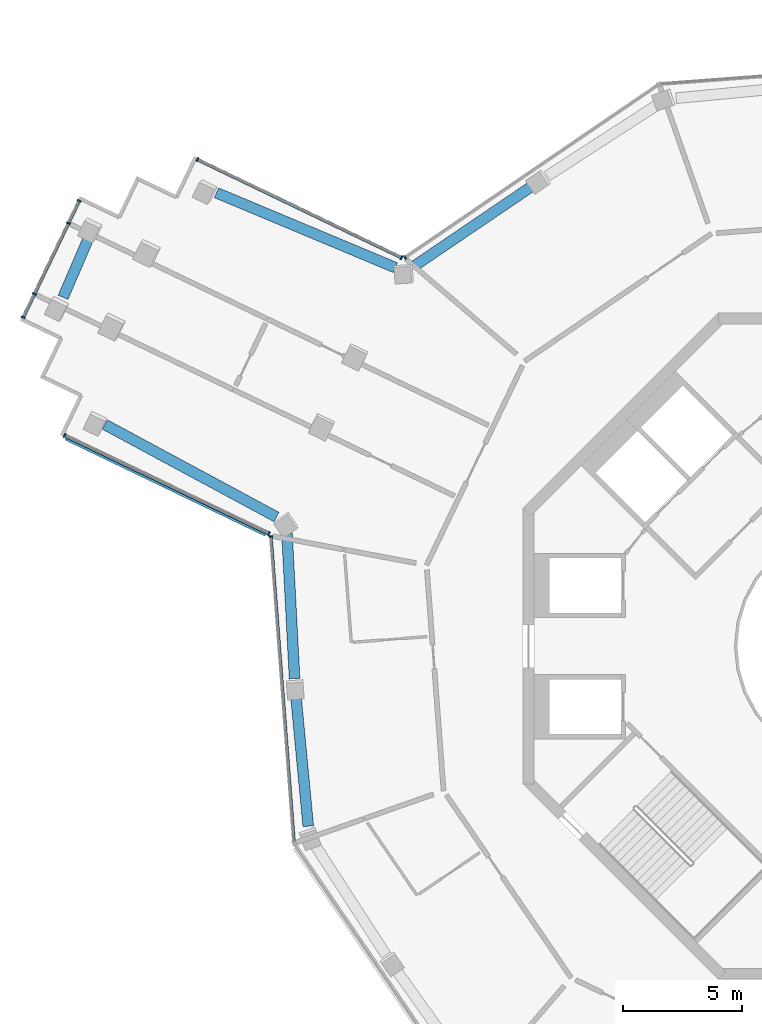
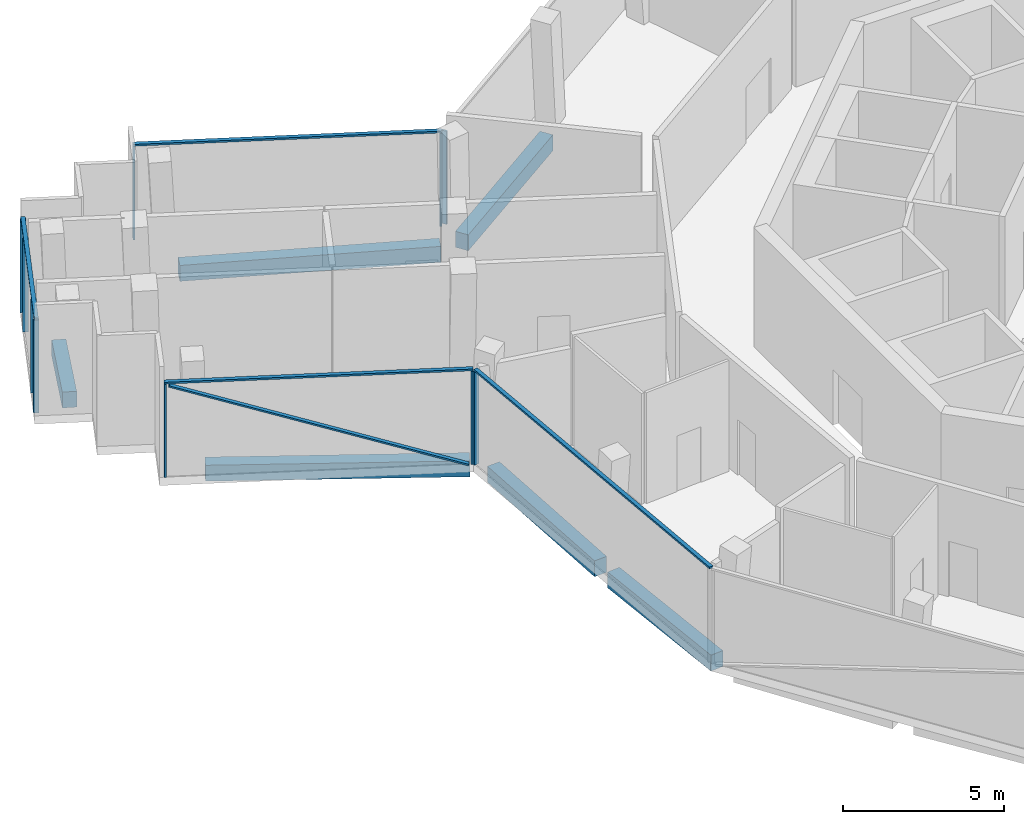
# One storey, part 4 of 19: 15 members, 6 beams, 5 elements without a shape of their own.
"""IFC4 building model written with IfcOpenShell, lengths in metres."""

from ifc_helpers import new_model, si_unit, direction, frame, origin, origin_2d, place, context, subcontext, project, spatial, rectangle, extrude, material, layer, layer_set, material_profile, profile_set, type_object, element, aggregate, save


model = new_model("IFC4")

# Units and contexts
model_context = context("Model", 3, precision=1e-05, world=origin(), true_north=direction((0.0, 1.0)))
body_context = subcontext(model_context, "Body", "Model", "MODEL_VIEW")
ifc_project = project(units=[si_unit("LENGTHUNIT", "METRE"), si_unit("AREAUNIT", "SQUARE_METRE"), si_unit("VOLUMEUNIT", "CUBIC_METRE"), si_unit("PLANEANGLEUNIT", "RADIAN"), si_unit("MASSUNIT", "GRAM", prefix="KILO")], contexts=[model_context])

# Site, building, storey
site_placement = place(None, origin())
site = spatial("IfcSite", under=ifc_project, at=site_placement, CompositionType="ELEMENT")
building_placement = place(site_placement, origin())
building = spatial("IfcBuilding", under=site, at=building_placement, Name="Verdalira Terraces Hotel", CompositionType="ELEMENT")
storey_placement = place(building_placement, frame((0.0, 0.0, 295.0)))
storey = spatial("IfcBuildingStorey", under=building, at=storey_placement, Name="L73", CompositionType="ELEMENT", Elevation=295.0)

# Curtain wall, members
ifc_material_1 = material(Name="Clear glass", Category="glass")
ifc_layer = layer(ifc_material_1, 0.179931640625)
ifc_layer_set = layer_set([ifc_layer], Name="CW4 curtain wall")
curtain_wall_type = type_object("IfcCurtainWallType", Name="CW4 curtain wall", PredefinedType="NOTDEFINED", material=ifc_layer_set)
curtain_wall_1_placement = place(storey_placement, origin())
curtain_wall_1 = element("IfcCurtainWall", 1, at=curtain_wall_1_placement, inside=storey, type_object=curtain_wall_type, Name="CW4 curtain wall L73 edge 0", PredefinedType="NOTDEFINED")
ifc_material_2 = material(Name="Terracotta frame", Category="masonry")
ifc_material_profile_1 = material_profile(ifc_material_2, rectangle(XDim=0.064941, YDim=0.179932, at=origin_2d()), Name="MU 65x180")
ifc_profile_set_1 = profile_set([ifc_material_profile_1], Name="Terracotta frame")
member_type_1 = type_object("IfcMemberType", Name="CW4 mullion 65x180", PredefinedType="MULLION", material=ifc_profile_set_1)
member_1_placement = place(storey_placement, frame((-19.116455, 16.337646, 0.0), z_axis=(0.0, 0.0, 1.0), x_axis=(-0.901228342, 0.433344523, 0.0)))
member_1 = element("IfcMember", 2, at=member_1_placement, type_object=member_type_1, Name="CW4 mullion", PredefinedType="MULLION", context=body_context, shape_type="SweptSolid", body=[
    extrude(rectangle(XDim=0.064941, YDim=0.179932, at=origin_2d()), origin(), (0.0, 0.0, 1.0), 3.52002),
])
member_2_placement = place(storey_placement, frame((-27.702148, 20.466064, 0.0), z_axis=(0.0, 0.0, 1.0), x_axis=(-0.901228342, 0.433344523, 0.0)))
member_2 = element("IfcMember", 3, at=member_2_placement, type_object=member_type_1, Name="CW4 mullion", PredefinedType="MULLION", context=body_context, shape_type="SweptSolid", body=[
    extrude(rectangle(XDim=0.064941, YDim=0.179932, at=origin_2d()), origin(), (0.0, 0.0, 1.0), 3.52002),
])

curtain_wall_2_placement = place(storey_placement, origin())
curtain_wall_2 = element("IfcCurtainWall", 4, at=curtain_wall_2_placement, inside=storey, type_object=curtain_wall_type, Name="CW4 curtain wall L73 edge 5", PredefinedType="NOTDEFINED")
member_3_placement = place(storey_placement, frame((-32.670166, 18.724365, 0.0), z_axis=(0.0, 0.0, 1.0), x_axis=(-0.433344523, -0.901228342, 0.0)))
member_3 = element("IfcMember", 5, at=member_3_placement, type_object=member_type_1, Name="CW4 mullion", PredefinedType="MULLION", context=body_context, shape_type="SweptSolid", body=[
    extrude(rectangle(XDim=0.064941, YDim=0.179932, at=origin_2d()), origin(), (0.0, 0.0, 1.0), 3.52002),
])
member_4_placement = place(storey_placement, frame((-33.124023, 17.780273, 0.0), z_axis=(0.0, 0.0, 1.0), x_axis=(-0.433344523, -0.901228342, 0.0)))
member_4 = element("IfcMember", 6, at=member_4_placement, type_object=member_type_1, Name="CW4 mullion", PredefinedType="MULLION", context=body_context, shape_type="SweptSolid", body=[
    extrude(rectangle(XDim=0.064941, YDim=0.179932, at=origin_2d()), origin(), (0.0, 0.0, 1.0), 3.52002),
])
member_5_placement = place(storey_placement, frame((-34.553223, 14.80835, 0.0), z_axis=(0.0, 0.0, 1.0), x_axis=(-0.433344523, -0.901228342, 0.0)))
member_5 = element("IfcMember", 7, at=member_5_placement, type_object=member_type_1, Name="CW4 mullion", PredefinedType="MULLION", context=body_context, shape_type="SweptSolid", body=[
    extrude(rectangle(XDim=0.064941, YDim=0.179932, at=origin_2d()), origin(), (0.0, 0.0, 1.0), 3.52002),
])
member_6_placement = place(storey_placement, frame((-35.025391, 13.826172, 0.0), z_axis=(0.0, 0.0, 1.0), x_axis=(-0.433344523, -0.901228342, 0.0)))
member_6 = element("IfcMember", 8, at=member_6_placement, type_object=member_type_1, Name="CW4 mullion", PredefinedType="MULLION", context=body_context, shape_type="SweptSolid", body=[
    extrude(rectangle(XDim=0.064941, YDim=0.179932, at=origin_2d()), origin(), (0.0, 0.0, 1.0), 3.52002),
])

curtain_wall_3_placement = place(storey_placement, origin())
curtain_wall_3 = element("IfcCurtainWall", 9, at=curtain_wall_3_placement, inside=storey, type_object=curtain_wall_type, Name="CW4 curtain wall L73 edge 10", PredefinedType="NOTDEFINED")
member_7_placement = place(storey_placement, frame((-33.283691, 8.858154, 0.0), z_axis=(0.0, 0.0, 1.0), x_axis=(0.901228342, -0.433344523, 0.0)))
member_7 = element("IfcMember", 10, at=member_7_placement, type_object=member_type_1, Name="CW4 mullion", PredefinedType="MULLION", context=body_context, shape_type="SweptSolid", body=[
    extrude(rectangle(XDim=0.064941, YDim=0.179932, at=origin_2d()), origin(), (0.0, 0.0, 1.0), 3.52002),
])
member_8_placement = place(storey_placement, frame((-24.697998, 4.72998, 0.0), z_axis=(0.0, 0.0, 1.0), x_axis=(0.901228342, -0.433344523, 0.0)))
member_8 = element("IfcMember", 11, at=member_8_placement, type_object=member_type_1, Name="CW4 mullion", PredefinedType="MULLION", context=body_context, shape_type="SweptSolid", body=[
    extrude(rectangle(XDim=0.064941, YDim=0.179932, at=origin_2d()), origin(), (0.0, 0.0, 1.0), 3.52002),
])

# Curtain wall, member
curtain_wall_4_placement = place(storey_placement, origin())
curtain_wall_4 = element("IfcCurtainWall", 12, at=curtain_wall_4_placement, inside=storey, type_object=curtain_wall_type, Name="CW4 curtain wall L73 edge 11", PredefinedType="NOTDEFINED")
member_9_placement = place(storey_placement, frame((-24.615479, 4.609131, 0.0), z_axis=(0.0, 0.0, 1.0), x_axis=(0.075326806, -0.9971589, 0.0)))
member_9 = element("IfcMember", 13, at=member_9_placement, type_object=member_type_1, Name="CW4 mullion", PredefinedType="MULLION", context=body_context, shape_type="SweptSolid", body=[
    extrude(rectangle(XDim=0.064941, YDim=0.179932, at=origin_2d()), origin(), (0.0, 0.0, 1.0), 3.52002),
])

curtain_wall_5_placement = place(storey_placement, origin())
curtain_wall_5 = element("IfcCurtainWall", 14, at=curtain_wall_5_placement, inside=storey, type_object=curtain_wall_type, Name="CW4 curtain wall L73 edge 41", PredefinedType="NOTDEFINED")
member_10_placement = place(storey_placement, frame((-18.970459, 16.348633, 0.0), z_axis=(0.0, 0.0, 1.0), x_axis=(-0.825901536, -0.563814377, 0.0)))
member_10 = element("IfcMember", 15, at=member_10_placement, type_object=member_type_1, Name="CW4 mullion", PredefinedType="MULLION", context=body_context, shape_type="SweptSolid", body=[
    extrude(rectangle(XDim=0.064941, YDim=0.179932, at=origin_2d()), origin(), (0.0, 0.0, 1.0), 3.52002),
])
aggregate(curtain_wall_5, [member_10])

# Member
ifc_material_3 = material(Name="Terracotta frame", Category="masonry")
ifc_material_profile_2 = material_profile(ifc_material_3, rectangle(XDim=0.139893, YDim=0.070068, at=origin_2d()), Name="TR 70x140")
ifc_profile_set_2 = profile_set([ifc_material_profile_2], Name="Terracotta frame")
member_type_2 = type_object("IfcMemberType", Name="CW4 transom 70x140", PredefinedType="USERDEFINED", material=ifc_profile_set_2)
member_11_placement = place(storey_placement, frame((-19.087158, 16.32373, 3.554932), z_axis=(-0.90122853, 0.433344133, 0.0), x_axis=(-0.433344133, -0.90122853, 0.0)))
member_11 = element("IfcMember", 16, at=member_11_placement, type_object=member_type_2, Name="CW4 transom", ObjectType="TRANSOM", PredefinedType="USERDEFINED", context=body_context, shape_type="SweptSolid", body=[
    extrude(rectangle(XDim=0.139893, YDim=0.070068, at=origin_2d()), origin(), (0.0, 0.0, 1.0), 9.591553),
])

aggregate(curtain_wall_1, [member_1, member_2, member_11])

member_12_placement = place(storey_placement, frame((-32.656006, 18.753662, 3.554932), z_axis=(-0.433364463, -0.901218754, 0.0), x_axis=(0.901218754, -0.433364463, 0.0)))
member_12 = element("IfcMember", 17, at=member_12_placement, type_object=member_type_2, Name="CW4 transom", ObjectType="TRANSOM", PredefinedType="USERDEFINED", context=body_context, shape_type="SweptSolid", body=[
    extrude(rectangle(XDim=0.139893, YDim=0.070068, at=origin_2d()), origin(), (0.0, 0.0, 1.0), 5.5),
])

aggregate(curtain_wall_2, [member_3, member_4, member_5, member_6, member_12])

member_13_placement = place(storey_placement, frame((-33.312988, 8.872314, 3.554932), z_axis=(0.90122853, -0.433344133, 0.0), x_axis=(0.433344133, 0.90122853, 0.0)))
member_13 = element("IfcMember", 18, at=member_13_placement, type_object=member_type_2, Name="CW4 transom", ObjectType="TRANSOM", PredefinedType="USERDEFINED", context=body_context, shape_type="SweptSolid", body=[
    extrude(rectangle(XDim=0.139893, YDim=0.070068, at=origin_2d()), origin(), (0.0, 0.0, 1.0), 9.591553),
])

member_14_placement = place(storey_placement, frame((-24.61792, 4.641357, 3.554932), z_axis=(0.075323142, -0.997159177, 0.0), x_axis=(0.997159177, 0.075323142, 0.0)))
member_14 = element("IfcMember", 19, at=member_14_placement, type_object=member_type_2, Name="CW4 transom", ObjectType="TRANSOM", PredefinedType="USERDEFINED", context=body_context, shape_type="SweptSolid", body=[
    extrude(rectangle(XDim=0.139893, YDim=0.070068, at=origin_2d()), origin(), (0.0, 0.0, 1.0), 12.942383),
])

aggregate(curtain_wall_4, [member_9, member_14])

ifc_material_4 = material(Name="Terracotta frame", Category="masonry")
ifc_material_profile_3 = material_profile(ifc_material_4, rectangle(XDim=0.149902, YDim=0.060059, at=origin_2d()), Name="GB 60x150")
ifc_profile_set_3 = profile_set([ifc_material_profile_3], Name="Terracotta frame")
member_type_3 = type_object("IfcMemberType", Name="Diagonal glazing bar 60x150", PredefinedType="USERDEFINED", material=ifc_profile_set_3)
member_15_placement = place(storey_placement, frame((-33.224854, 8.726807, 3.491211), z_axis=(0.844668749, -0.406144173, -0.348685554), x_axis=(0.433340738, 0.901230162, 0.0)))
member_15 = element("IfcMember", 20, at=member_15_placement, type_object=member_type_3, Name="Diagonal glazing bar", ObjectType="GLAZING BAR", PredefinedType="USERDEFINED", context=body_context, shape_type="SweptSolid", body=[
    extrude(rectangle(XDim=0.149902, YDim=0.060059, at=origin_2d()), origin(), (0.0, 0.0, 1.0), 9.929932),
])

aggregate(curtain_wall_3, [member_7, member_8, member_13, member_15])

# Beams
ifc_material_5 = material(Name="Concrete C40", Category="concrete")
ifc_material_profile_4 = material_profile(ifc_material_5, rectangle(XDim=0.449951, YDim=0.600098, at=origin_2d()), Name="RC 450X600")
ifc_profile_set_4 = profile_set([ifc_material_profile_4], Name="Concrete C40")
beam_type = type_object("IfcBeamType", Name="Spandrel beam RC 450X600 C40", PredefinedType="SPANDREL", material=ifc_profile_set_4)
beam_1_placement = place(storey_placement, frame((-19.378906, 15.915283, -0.610107), z_axis=(-0.922403766, 0.386226997, 0.0), x_axis=(-0.386226997, -0.922403766, 0.0)))
element("IfcBeam", 21, at=beam_1_placement, inside=storey, type_object=beam_type, Name="Spandrel beam B01", PredefinedType="SPANDREL", context=body_context, shape_type="SweptSolid", body=[
    extrude(rectangle(XDim=0.449951, YDim=0.600098, at=origin_2d()), origin(), (0.0, 0.0, 1.0), 8.150635),
])
beam_2_placement = place(storey_placement, frame((-32.224609, 17.277588, -0.610107), z_axis=(-0.395317529, -0.918544529, 0.0), x_axis=(0.918544529, -0.395317529, 0.0)))
element("IfcBeam", 22, at=beam_2_placement, inside=storey, type_object=beam_type, Name="Spandrel beam B02", PredefinedType="SPANDREL", context=body_context, shape_type="SweptSolid", body=[
    extrude(rectangle(XDim=0.449951, YDim=0.600098, at=origin_2d()), origin(), (0.0, 0.0, 1.0), 2.843994),
])
beam_3_placement = place(storey_placement, frame((-31.587891, 9.317627, -0.610107), z_axis=(0.880325627, -0.474369888, 0.0), x_axis=(0.474369888, 0.880325627, 0.0)))
element("IfcBeam", 23, at=beam_3_placement, inside=storey, type_object=beam_type, Name="Spandrel beam B03", PredefinedType="SPANDREL", context=body_context, shape_type="SweptSolid", body=[
    extrude(rectangle(XDim=0.449951, YDim=0.600098, at=origin_2d()), origin(), (0.0, 0.0, 1.0), 8.193359),
])
beam_4_placement = place(storey_placement, frame((-23.932617, 4.727539, -0.610107), z_axis=(0.052254095, -0.998633822, 0.0), x_axis=(0.998633822, 0.052254095, 0.0)))
element("IfcBeam", 24, at=beam_4_placement, inside=storey, type_object=beam_type, Name="Spandrel beam B04", PredefinedType="SPANDREL", context=body_context, shape_type="SweptSolid", body=[
    extrude(rectangle(XDim=0.449951, YDim=0.600098, at=origin_2d()), origin(), (0.0, 0.0, 1.0), 6.097168),
])
beam_5_placement = place(storey_placement, frame((-23.561523, -2.073975, -0.610107), z_axis=(0.094581642, -0.995517108, 0.0), x_axis=(0.995517108, 0.094581642, 0.0)))
element("IfcBeam", 25, at=beam_5_placement, inside=storey, type_object=beam_type, Name="Spandrel beam B05", PredefinedType="SPANDREL", context=body_context, shape_type="SweptSolid", body=[
    extrude(rectangle(XDim=0.449951, YDim=0.600098, at=origin_2d()), origin(), (0.0, 0.0, 1.0), 5.52124),
])
beam_6_placement = place(storey_placement, frame((-13.575195, 19.378662, -0.610107), z_axis=(-0.827555962, -0.561383229, 0.0), x_axis=(0.561383229, -0.827555962, 0.0)))
element("IfcBeam", 26, at=beam_6_placement, inside=storey, type_object=beam_type, Name="Spandrel beam B29", PredefinedType="SPANDREL", context=body_context, shape_type="SweptSolid", body=[
    extrude(rectangle(XDim=0.449951, YDim=0.600098, at=origin_2d()), origin(), (0.0, 0.0, 1.0), 6.011475),
])

save(model, "model.ifc")
